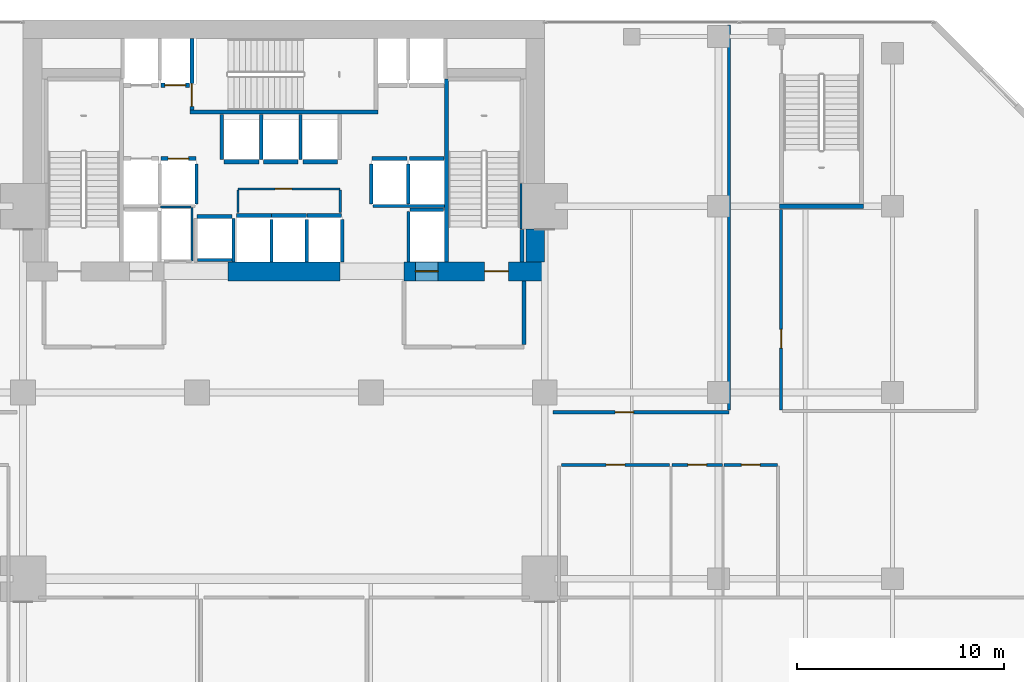
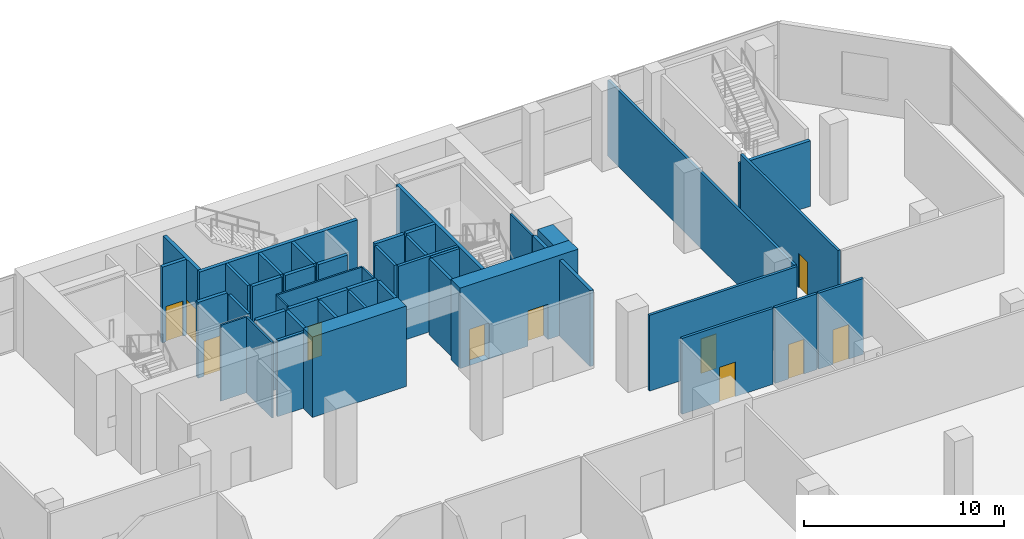
# One storey, part 36 of 39: 46 walls, 11 doors, 11 openings.
"""IFC4 building model written with IfcOpenShell, lengths in metres."""

from ifc_helpers import new_model, si_unit, direction, frame, frame_2d, origin, place, context, subcontext, project, spatial, rectangle, extrude, material, layer, layer_set, type_object, element, fill, save


model = new_model("IFC4")

# Units and contexts
model_context = context("Model", 3, precision=1e-05, world=origin(), true_north=direction((0.0, 1.0)))
body_context = subcontext(model_context, "Body", "Model", "MODEL_VIEW")
ifc_project = project(units=[si_unit("LENGTHUNIT", "METRE"), si_unit("AREAUNIT", "SQUARE_METRE"), si_unit("VOLUMEUNIT", "CUBIC_METRE"), si_unit("PLANEANGLEUNIT", "RADIAN"), si_unit("MASSUNIT", "GRAM", prefix="KILO")], contexts=[model_context])

# Site, building, storey
site_placement = place(None, origin())
site = spatial("IfcSite", under=ifc_project, at=site_placement, CompositionType="ELEMENT")
building_placement = place(site_placement, origin())
building = spatial("IfcBuilding", under=site, at=building_placement, Name="Maruvema Waterfront Hotel and Observation Tower", CompositionType="ELEMENT")
storey_placement = place(building_placement, frame((0.0, 0.0, 16.449951171875)))
storey = spatial("IfcBuildingStorey", under=building, at=storey_placement, Name="L03", CompositionType="ELEMENT", Elevation=16.449951171875)

# Wall, opening, door
ifc_material_1 = material(Name="Twin-stud acoustic gypsum drywall", Category="gypsum")
ifc_layer_1 = layer(ifc_material_1, 0.14990234375, Name="Acoustic Corridor and Suite Demising Wall 150 mm")
ifc_layer_set_1 = layer_set([ifc_layer_1], Name="Twin-stud acoustic gypsum drywall")
wall_type_1 = type_object("IfcWallType", Name="Acoustic Corridor and Suite Demising Wall 150 mm", PredefinedType="PARTITIONING", material=ifc_layer_set_1)
wall_1_placement = place(storey_placement, frame((51.199951171875, 32.5, 0.0), z_axis=(0.0, 0.0, 1.0), x_axis=(1.0, 0.0, 0.0)))
wall_1 = element("IfcWall", 1, at=wall_1_placement, inside=storey, type_object=wall_type_1, Name="L03 L03 Toilet Wall 027", PredefinedType="PARTITIONING", context=body_context, shape_type="SweptSolid", body=[
    extrude(rectangle(XDim=5.239990234375, YDim=0.14990234375, at=frame_2d((2.6201171875, 0.0))), origin(), (0.0, 0.0, 1.0), 4.6201171875),
])
opening_1_placement = place(wall_1_placement, frame((2.169921875, 0.0, 0.0)))
opening_1 = element("IfcOpeningElement", 2, at=opening_1_placement, cuts=wall_1, Name="Opening DR-090", PredefinedType="OPENING", context=body_context, shape_type="SweptSolid", body=[
    extrude(rectangle(XDim=0.89990234375, YDim=2.10009765625, at=frame_2d((0.449951171875, 1.050048828125))), frame((0.0, 0.0849609375, 0.0), z_axis=(0.0, -1.0, 0.0), x_axis=(1.0, 0.0, 0.0)), (0.0, 0.0, 1.0), 0.169921875),
])
ifc_material_2 = material(Name="Solid-core lacquered timber leaf", Category="wood")
door_type_1 = type_object("IfcDoorType", Name="Accessible Toilet and Room Door 900x2100 mm", OperationType="NOTDEFINED", PredefinedType="DOOR", material=ifc_material_2)
door_1_placement = place(opening_1_placement, origin())
door_1 = element("IfcDoor", 3, at=door_1_placement, inside=storey, type_object=door_type_1, Name="L03 Public Toilet Door", OperationType="SINGLE_SWING_LEFT", OverallHeight=2.10009765625, OverallWidth=0.89990234375, PredefinedType="DOOR", context=body_context, shape_type="SweptSolid", body=[
    extrude(rectangle(XDim=0.89990234375, YDim=2.10009765625, at=frame_2d((0.449951171875, 1.050048828125))), frame((0.0, 0.02490234375, 0.0), z_axis=(0.0, -1.0, 0.0), x_axis=(1.0, 0.0, 0.0)), (0.0, 0.0, 1.0), 0.050048828125),
])
fill(opening_1, door_1)

wall_2_placement = place(storey_placement, frame((56.56005859375, 32.5, 0.0), z_axis=(0.0, 0.0, 1.0), x_axis=(1.0, 0.0, 0.0)))
wall_2 = element("IfcWall", 4, at=wall_2_placement, inside=storey, type_object=wall_type_1, Name="L03 L03 Acc WC Wall 028", PredefinedType="PARTITIONING", context=body_context, shape_type="SweptSolid", body=[
    extrude(rectangle(XDim=2.419921875, YDim=0.14990234375, at=frame_2d((1.2099609375, 0.0))), origin(), (0.0, 0.0, 1.0), 4.6201171875),
])
opening_2_placement = place(wall_2_placement, frame((0.760009765625, 0.0, 0.0)))
opening_2 = element("IfcOpeningElement", 5, at=opening_2_placement, cuts=wall_2, Name="Opening DR-090", PredefinedType="OPENING", context=body_context, shape_type="SweptSolid", body=[
    extrude(rectangle(XDim=0.89990234375, YDim=2.10009765625, at=frame_2d((0.449951171875, 1.050048828125))), frame((0.0, 0.0849609375, 0.0), z_axis=(0.0, -1.0, 0.0), x_axis=(1.0, 0.0, 0.0)), (0.0, 0.0, 1.0), 0.169921875),
])
door_2_placement = place(opening_2_placement, origin())
door_2 = element("IfcDoor", 6, at=door_2_placement, inside=storey, type_object=door_type_1, Name="L03 Accessible WC Door", OperationType="SINGLE_SWING_RIGHT", OverallHeight=2.10009765625, OverallWidth=0.89990234375, PredefinedType="DOOR", context=body_context, shape_type="SweptSolid", body=[
    extrude(rectangle(XDim=0.89990234375, YDim=2.10009765625, at=frame_2d((0.449951171875, 1.050048828125))), frame((0.0, 0.02490234375, 0.0), z_axis=(0.0, -1.0, 0.0), x_axis=(1.0, 0.0, 0.0)), (0.0, 0.0, 1.0), 0.050048828125),
])
fill(opening_2, door_2)

wall_3_placement = place(storey_placement, frame((59.06005859375, 32.5, 0.0), z_axis=(0.0, 0.0, 1.0), x_axis=(1.0, 0.0, 0.0)))
wall_3 = element("IfcWall", 7, at=wall_3_placement, inside=storey, type_object=wall_type_1, Name="L03 L03 Linen Store Wall 029", PredefinedType="PARTITIONING", context=body_context, shape_type="SweptSolid", body=[
    extrude(rectangle(XDim=2.58984375, YDim=0.14990234375, at=frame_2d((1.294921875, 0.0))), origin(), (0.0, 0.0, 1.0), 4.6201171875),
])
opening_3_placement = place(wall_3_placement, frame((0.844970703125, 0.0, 0.0)))
opening_3 = element("IfcOpeningElement", 8, at=opening_3_placement, cuts=wall_3, Name="Opening DR-090", PredefinedType="OPENING", context=body_context, shape_type="SweptSolid", body=[
    extrude(rectangle(XDim=0.89990234375, YDim=2.10009765625, at=frame_2d((0.449951171875, 1.050048828125))), frame((0.0, 0.0849609375, 0.0), z_axis=(0.0, -1.0, 0.0), x_axis=(1.0, 0.0, 0.0)), (0.0, 0.0, 1.0), 0.169921875),
])
door_3_placement = place(opening_3_placement, origin())
door_3 = element("IfcDoor", 9, at=door_3_placement, inside=storey, type_object=door_type_1, Name="L03 Podium Linen Store Door", OperationType="SINGLE_SWING_LEFT", OverallHeight=2.10009765625, OverallWidth=0.89990234375, PredefinedType="DOOR", context=body_context, shape_type="SweptSolid", body=[
    extrude(rectangle(XDim=0.89990234375, YDim=2.10009765625, at=frame_2d((0.449951171875, 1.050048828125))), frame((0.0, 0.02490234375, 0.0), z_axis=(0.0, -1.0, 0.0), x_axis=(1.0, 0.0, 0.0)), (0.0, 0.0, 1.0), 0.050048828125),
])
fill(opening_3, door_3)

wall_4_placement = place(storey_placement, frame((50.800048828125, 35.050048828125, 0.0), z_axis=(0.0, 0.0, 1.0), x_axis=(1.0, 0.0, 0.0)))
wall_4 = element("IfcWall", 10, at=wall_4_placement, inside=storey, type_object=wall_type_1, Name="L03 L03 Lounge South Wall 036", PredefinedType="PARTITIONING", context=body_context, shape_type="SweptSolid", body=[
    extrude(rectangle(XDim=8.5, YDim=0.14990234375, at=frame_2d((4.25, 0.0))), origin(), (0.0, 0.0, 1.0), 4.6201171875),
])
opening_4_placement = place(wall_4_placement, frame((3.0, 0.0, 0.0)))
opening_4 = element("IfcOpeningElement", 11, at=opening_4_placement, cuts=wall_4, Name="Opening DR-090", PredefinedType="OPENING", context=body_context, shape_type="SweptSolid", body=[
    extrude(rectangle(XDim=0.89990234375, YDim=2.10009765625, at=frame_2d((0.449951171875, 1.050048828125))), frame((0.0, 0.0849609375, 0.0), z_axis=(0.0, -1.0, 0.0), x_axis=(1.0, 0.0, 0.0)), (0.0, 0.0, 1.0), 0.169921875),
])
door_4_placement = place(opening_4_placement, frame((0.89990234375, 0.0, 0.0), z_axis=(0.0, 0.0, 1.0), x_axis=(-1.0, 0.0, 0.0)))
door_4 = element("IfcDoor", 12, at=door_4_placement, inside=storey, type_object=door_type_1, Name="L03 Business Lounge Door", OperationType="SINGLE_SWING_RIGHT", OverallHeight=2.10009765625, OverallWidth=0.89990234375, PredefinedType="DOOR", context=body_context, shape_type="SweptSolid", body=[
    extrude(rectangle(XDim=0.89990234375, YDim=2.10009765625, at=frame_2d((0.449951171875, 1.050048828125))), frame((0.0, 0.02490234375, 0.0), z_axis=(0.0, -1.0, 0.0), x_axis=(1.0, 0.0, 0.0)), (0.0, 0.0, 1.0), 0.050048828125),
])
fill(opening_4, door_4)

# Wall
wall_5_placement = place(storey_placement, frame((59.300048828125, 35.14990234375, 0.0), z_axis=(0.0, 0.0, 1.0), x_axis=(0.0, 1.0, 0.0)))
element("IfcWall", 13, at=wall_5_placement, inside=storey, type_object=wall_type_1, Name="L03 L03 Lounge East Wall 037", PredefinedType="PARTITIONING", context=body_context, shape_type="SweptSolid", body=[
    extrude(rectangle(XDim=18.60009765625, YDim=0.14990234375, at=frame_2d((9.300048828125, 0.0))), origin(), (0.0, 0.0, 1.0), 4.6201171875),
])

# Wall, opening, door
wall_6_placement = place(storey_placement, frame((61.820068359375, 35.14990234375, 0.0), z_axis=(0.0, 0.0, 1.0), x_axis=(0.0, 1.0, 0.0)))
wall_6 = element("IfcWall", 14, at=wall_6_placement, inside=storey, type_object=wall_type_1, Name="L03 L03 AV Store Wall 038", PredefinedType="PARTITIONING", context=body_context, shape_type="SweptSolid", body=[
    extrude(rectangle(XDim=9.7001953125, YDim=0.14990234375, at=frame_2d((4.85009765625, 0.0))), origin(), (0.0, 0.0, 1.0), 4.6201171875),
])
opening_5_placement = place(wall_6_placement, frame((3.0, 0.0, 0.0)))
opening_5 = element("IfcOpeningElement", 15, at=opening_5_placement, cuts=wall_6, Name="Opening DR-090", PredefinedType="OPENING", context=body_context, shape_type="SweptSolid", body=[
    extrude(rectangle(XDim=0.89990234375, YDim=2.10009765625, at=frame_2d((0.449951171875, 1.050048828125))), frame((0.0, 0.0849609375, 0.0), z_axis=(0.0, -1.0, 0.0), x_axis=(1.0, 0.0, 0.0)), (0.0, 0.0, 1.0), 0.169921875),
])
door_5_placement = place(opening_5_placement, frame((0.89990234375, 0.0, 0.0), z_axis=(0.0, 0.0, 1.0), x_axis=(-1.0, 0.0, 0.0)))
door_5 = element("IfcDoor", 16, at=door_5_placement, inside=storey, type_object=door_type_1, Name="L03 AV Store Door", OperationType="SINGLE_SWING_LEFT", OverallHeight=2.10009765625, OverallWidth=0.89990234375, PredefinedType="DOOR", context=body_context, shape_type="SweptSolid", body=[
    extrude(rectangle(XDim=0.89990234375, YDim=2.10009765625, at=frame_2d((0.449951171875, 1.050048828125))), frame((0.0, 0.02490234375, 0.0), z_axis=(0.0, -1.0, 0.0), x_axis=(1.0, 0.0, 0.0)), (0.0, 0.0, 1.0), 0.050048828125),
])
fill(opening_5, door_5)

# Wall
ifc_material_3 = material(Name="Precast concrete C45/55", Category="concrete")
ifc_layer_2 = layer(ifc_material_3, 0.199951171875, Name="Core Shaft and Stairwell Enclosure Wall 200 mm")
ifc_layer_set_2 = layer_set([ifc_layer_2], Name="Precast concrete C45/55")
wall_type_2 = type_object("IfcWallType", Name="Core Shaft and Stairwell Enclosure Wall 200 mm", PredefinedType="SOLIDWALL", material=ifc_layer_set_2)
wall_7_placement = place(storey_placement, frame((33.25, 49.550048828125, 0.0), z_axis=(0.0, 0.0, 1.0), x_axis=(1.0, 0.0, 0.0)))
element("IfcWall", 17, at=wall_7_placement, inside=storey, type_object=wall_type_2, Name="L03 Stairwell ST-02 Shaft Wall", PredefinedType="SOLIDWALL", context=body_context, shape_type="SweptSolid", body=[
    extrude(rectangle(XDim=9.10009765625, YDim=0.199951171875, at=frame_2d((4.550048828125, 0.0))), origin(), (0.0, 0.0, 1.0), 4.6201171875),
])

# Wall, opening, door
wall_8_placement = place(storey_placement, frame((33.35009765625, 49.64990234375, 0.0), z_axis=(0.0, 0.0, 1.0), x_axis=(0.0, 1.0, 0.0)))
wall_8 = element("IfcWall", 18, at=wall_8_placement, inside=storey, type_object=wall_type_2, Name="L03 Stairwell ST-02 Shaft Wall", PredefinedType="SOLIDWALL", context=body_context, shape_type="SweptSolid", body=[
    extrude(rectangle(XDim=3.4501953125, YDim=0.199951171875, at=frame_2d((1.72509765625, 0.0))), origin(), (0.0, 0.0, 1.0), 4.6201171875),
])
opening_6_placement = place(wall_8_placement, frame((0.179931640625, 0.0, 0.0)))
opening_6 = element("IfcOpeningElement", 19, at=opening_6_placement, cuts=wall_8, Name="Opening SD-02", PredefinedType="OPENING", context=body_context, shape_type="SweptSolid", body=[
    extrude(rectangle(XDim=1.10009765625, YDim=2.14990234375, at=frame_2d((0.550048828125, 1.074951171875))), frame((0.0, 0.10986328125, 0.0), z_axis=(0.0, -1.0, 0.0), x_axis=(1.0, 0.0, 0.0)), (0.0, 0.0, 1.0), 0.219970703125),
])
ifc_material_4 = material(Name="Fire-rated galvanised steel leaf", Category="steel")
door_type_2 = type_object("IfcDoorType", Name="Central Exit Stair Fire Door 1100x2150 mm", OperationType="NOTDEFINED", PredefinedType="DOOR", material=ifc_material_4)
door_6_placement = place(opening_6_placement, frame((1.10009765625, 0.0, 0.0), z_axis=(0.0, 0.0, 1.0), x_axis=(-1.0, 0.0, 0.0)))
door_6 = element("IfcDoor", 20, at=door_6_placement, inside=storey, type_object=door_type_2, Name="L03 Exit Stair ST-02 Fire Door", OperationType="SINGLE_SWING_LEFT", OverallHeight=2.14990234375, OverallWidth=1.10009765625, PredefinedType="DOOR", context=body_context, shape_type="SweptSolid", body=[
    extrude(rectangle(XDim=1.10009765625, YDim=2.14990234375, at=frame_2d((0.550048828125, 1.074951171875))), frame((0.0, 0.02490234375, 0.0), z_axis=(0.0, -1.0, 0.0), x_axis=(1.0, 0.0, 0.0)), (0.0, 0.0, 1.0), 0.050048828125),
])
fill(opening_6, door_6)

# Walls
wall_9_placement = place(storey_placement, frame((45.64990234375, 42.300048828125, 0.0), z_axis=(0.0, 0.0, 1.0), x_axis=(0.0, 1.0, 0.0)))
element("IfcWall", 21, at=wall_9_placement, inside=storey, type_object=wall_type_2, Name="L03 Stairwell ST-03 West Shaft Wall", PredefinedType="SOLIDWALL", context=body_context, shape_type="SweptSolid", body=[
    extrude(rectangle(XDim=8.849853515625, YDim=0.199951171875, at=frame_2d((4.4248046875, 0.0))), origin(), (0.0, 0.0, 1.0), 4.6201171875),
])
wall_10_placement = place(storey_placement, frame((49.300048828125, 42.300048828125, 0.0), z_axis=(0.0, 0.0, 1.0), x_axis=(0.0, 1.0, 0.0)))
element("IfcWall", 22, at=wall_10_placement, inside=storey, type_object=wall_type_2, Name="L03 Stairwell ST-03 Shaft Lining Wall", PredefinedType="SOLIDWALL", context=body_context, shape_type="SweptSolid", body=[
    extrude(rectangle(XDim=1.579833984375, YDim=0.199951171875, at=frame_2d((0.7900390625, 0.0))), origin(), (0.0, 0.0, 1.0), 4.6201171875),
])
wall_11_placement = place(storey_placement, frame((61.75, 45.0, 0.0), z_axis=(0.0, 0.0, 1.0), x_axis=(1.0, 0.0, 0.0)))
element("IfcWall", 23, at=wall_11_placement, inside=storey, type_object=wall_type_2, Name="L03 Stairwell ST-05 Shaft Wall", PredefinedType="SOLIDWALL", context=body_context, shape_type="SweptSolid", body=[
    extrude(rectangle(XDim=4.050048828125, YDim=0.199951171875, at=frame_2d((2.02490234375, 0.0))), origin(), (0.0, 0.0, 1.0), 3.985107421875),
])

# Wall, opening, door
wall_12_placement = place(storey_placement, frame((31.860107421875, 47.300048828125, 0.0), z_axis=(0.0, 0.0, 1.0), x_axis=(1.0, 0.0, 0.0)))
wall_12 = element("IfcWall", 24, at=wall_12_placement, inside=storey, type_object=wall_type_2, Name="L03 Lift LF-02 Hoistway Front Wall", PredefinedType="SOLIDWALL", context=body_context, shape_type="SweptSolid", body=[
    extrude(rectangle(XDim=1.679931640625, YDim=0.199951171875, at=frame_2d((0.83984375, 0.0))), origin(), (0.0, 0.0, 1.0), 4.6201171875),
])
opening_7_placement = place(wall_12_placement, frame((0.340087890625, 0.0, 0.0)))
opening_7 = element("IfcOpeningElement", 25, at=opening_7_placement, cuts=wall_12, Name="Opening LD-01", PredefinedType="OPENING", context=body_context, shape_type="SweptSolid", body=[
    extrude(rectangle(XDim=1.0, YDim=2.14990234375, at=frame_2d((0.5, 1.074951171875))), frame((0.0, 0.10986328125, 0.0), z_axis=(0.0, -1.0, 0.0), x_axis=(1.0, 0.0, 0.0)), (0.0, 0.0, 1.0), 0.219970703125),
])
ifc_material_5 = material(Name="Brushed stainless steel Grade 316", Category="steel")
door_type_3 = type_object("IfcDoorType", Name="Passenger Lift Sliding Landing Door 1000x2150 mm", OperationType="SLIDING_TO_LEFT", PredefinedType="DOOR", material=ifc_material_5)
door_7_placement = place(opening_7_placement, origin())
door_7 = element("IfcDoor", 26, at=door_7_placement, inside=storey, type_object=door_type_3, Name="L03 Lift LF-02 Sliding Landing Door", OperationType="SLIDING_TO_LEFT", OverallHeight=2.14990234375, OverallWidth=1.0, PredefinedType="DOOR", context=body_context, shape_type="SweptSolid", body=[
    extrude(rectangle(XDim=1.0, YDim=2.14990234375, at=frame_2d((0.5, 1.074951171875))), frame((0.0, 0.02490234375, 0.0), z_axis=(0.0, -1.0, 0.0), x_axis=(1.0, 0.0, 0.0)), (0.0, 0.0, 1.0), 0.050048828125),
])
fill(opening_7, door_7)

wall_13_placement = place(storey_placement, frame((31.860107421875, 50.85009765625, 0.0), z_axis=(0.0, 0.0, 1.0), x_axis=(1.0, 0.0, 0.0)))
wall_13 = element("IfcWall", 27, at=wall_13_placement, inside=storey, type_object=wall_type_2, Name="L03 Lift LF-04 Hoistway Front Wall", PredefinedType="SOLIDWALL", context=body_context, shape_type="SweptSolid", body=[
    extrude(rectangle(XDim=1.3798828125, YDim=0.199951171875, at=frame_2d((0.68994140625, 0.0))), origin(), (0.0, 0.0, 1.0), 4.6201171875),
])
opening_8_placement = place(wall_13_placement, frame((0.18994140625, 0.0, 0.0)))
opening_8 = element("IfcOpeningElement", 28, at=opening_8_placement, cuts=wall_13, Name="Opening LD-01", PredefinedType="OPENING", context=body_context, shape_type="SweptSolid", body=[
    extrude(rectangle(XDim=1.0, YDim=2.14990234375, at=frame_2d((0.5, 1.074951171875))), frame((0.0, 0.10986328125, 0.0), z_axis=(0.0, -1.0, 0.0), x_axis=(1.0, 0.0, 0.0)), (0.0, 0.0, 1.0), 0.219970703125),
])
door_8_placement = place(opening_8_placement, frame((1.0, 0.0, 0.0), z_axis=(0.0, 0.0, 1.0), x_axis=(-1.0, 0.0, 0.0)))
door_8 = element("IfcDoor", 29, at=door_8_placement, inside=storey, type_object=door_type_3, Name="L03 Lift LF-04 Sliding Landing Door", OperationType="SLIDING_TO_LEFT", OverallHeight=2.14990234375, OverallWidth=1.0, PredefinedType="DOOR", context=body_context, shape_type="SweptSolid", body=[
    extrude(rectangle(XDim=1.0, YDim=2.14990234375, at=frame_2d((0.5, 1.074951171875))), frame((0.0, 0.02490234375, 0.0), z_axis=(0.0, -1.0, 0.0), x_axis=(1.0, 0.0, 0.0)), (0.0, 0.0, 1.0), 0.050048828125),
])
fill(opening_8, door_8)

# Walls
for number, where, z_axis, x_axis, name in (
    (30, (42.06005859375, 47.300048828125, 0.0), (0.0, 0.0, 1.0), (1.0, 0.0, 0.0), "L03 Lift LF-05 Hoistway Front Wall"),
    (31, (43.860107421875, 47.300048828125, 0.0), (0.0, 0.0, 1.0), (1.0, 0.0, 0.0), "L03 Lift LF-06 Hoistway Front Wall"),
    (32, (35.510009765625, 44.550048828125, 0.0), (0.0, 0.0, 1.0), (1.0, 0.0, 0.0), "L03 Lift LF-09 Hoistway Front Wall"),
    (33, (37.2099609375, 44.550048828125, 0.0), (0.0, 0.0, 1.0), (1.0, 0.0, 0.0), "L03 Lift LF-10 Hoistway Front Wall"),
):
    element("IfcWall", number, at=place(storey_placement, frame(where, z_axis=z_axis, x_axis=x_axis)), inside=storey, type_object=wall_type_2, Name=name, PredefinedType="SOLIDWALL", context=body_context, shape_type="SweptSolid", body=[
        extrude(rectangle(XDim=1.679931640625, YDim=0.199951171875, at=frame_2d((0.83984375, 0.0))), origin(), (0.0, 0.0, 1.0), 4.6201171875),
    ])
for number, where, z_axis, x_axis, name in (
    (34, (38.909912109375, 44.550048828125, 0.0), (0.0, 0.0, 1.0), (1.0, 0.0, 0.0), "L03 Lift LF-11 Hoistway Front Wall"),
    (35, (34.909912109375, 47.14990234375, 0.0), (0.0, 0.0, 1.0), (1.0, 0.0, 0.0), "L03 Lift LF-12 Hoistway Front Wall"),
):
    element("IfcWall", number, at=place(storey_placement, frame(where, z_axis=z_axis, x_axis=x_axis)), inside=storey, type_object=wall_type_2, Name=name, PredefinedType="SOLIDWALL", context=body_context, shape_type="SweptSolid", body=[
        extrude(rectangle(XDim=1.68017578125, YDim=0.199951171875, at=frame_2d((0.840087890625, 0.0))), origin(), (0.0, 0.0, 1.0), 4.6201171875),
    ])
for number, where, z_axis, x_axis, name in (
    (36, (36.81005859375, 47.14990234375, 0.0), (0.0, 0.0, 1.0), (1.0, 0.0, 0.0), "L03 Lift LF-13 Hoistway Front Wall"),
    (37, (38.7099609375, 47.14990234375, 0.0), (0.0, 0.0, 1.0), (1.0, 0.0, 0.0), "L03 Lift LF-14 Hoistway Front Wall"),
    (38, (33.610107421875, 44.5, 0.0), (0.0, 0.0, 1.0), (1.0, 0.0, 0.0), "L03 Lift LF-15 Hoistway Front Wall"),
):
    element("IfcWall", number, at=place(storey_placement, frame(where, z_axis=z_axis, x_axis=x_axis)), inside=storey, type_object=wall_type_2, Name=name, PredefinedType="SOLIDWALL", context=body_context, shape_type="SweptSolid", body=[
        extrude(rectangle(XDim=1.679931640625, YDim=0.199951171875, at=frame_2d((0.83984375, 0.0))), origin(), (0.0, 0.0, 1.0), 4.6201171875),
    ])
ifc_material_6 = material(Name="Concrete C80/95", Category="concrete")
ifc_layer_3 = layer(ifc_material_6, 0.89990234375, Name="Core Shear Wall 900 mm")
ifc_layer_set_3 = layer_set([ifc_layer_3], Name="Concrete C80/95")
wall_type_3 = type_object("IfcWallType", Name="Core Shear Wall 900 mm", PredefinedType="SHEAR", material=ifc_layer_set_3)
wall_14_placement = place(storey_placement, frame((35.10009765625, 41.85009765625, 0.0), z_axis=(0.0, 0.0, 1.0), x_axis=(1.0, 0.0, 0.0)))
element("IfcWall", 39, at=wall_14_placement, inside=storey, type_object=wall_type_3, Name="L03 South-Central Core Shear Wall", PredefinedType="SHEAR", context=body_context, shape_type="SweptSolid", body=[
    extrude(rectangle(XDim=5.39990234375, YDim=0.89990234375, at=frame_2d((2.699951171875, 0.0))), origin(), (0.0, 0.0, 1.0), 4.900146484375),
])

# Wall, openings, doors
wall_15_placement = place(storey_placement, frame((43.60009765625, 41.85009765625, 0.0), z_axis=(0.0, 0.0, 1.0), x_axis=(1.0, 0.0, 0.0)))
wall_15 = element("IfcWall", 40, at=wall_15_placement, inside=storey, type_object=wall_type_3, Name="L03 South-East Core Shear Wall", PredefinedType="SHEAR", context=body_context, shape_type="SweptSolid", body=[
    extrude(rectangle(XDim=6.7998046875, YDim=0.89990234375, at=frame_2d((3.39990234375, 0.0))), origin(), (0.0, 0.0, 1.0), 4.900146484375),
])
opening_9_placement = place(wall_15_placement, frame((3.89990234375, 0.0, 0.0)))
opening_9 = element("IfcOpeningElement", 41, at=opening_9_placement, cuts=wall_15, Name="Opening SD-01", PredefinedType="OPENING", context=body_context, shape_type="SweptSolid", body=[
    extrude(rectangle(XDim=1.14990234375, YDim=2.14990234375, at=frame_2d((0.574951171875, 1.074951171875))), frame((0.0, 0.4599609375, 0.0), z_axis=(0.0, -1.0, 0.0), x_axis=(1.0, 0.0, 0.0)), (0.0, 0.0, 1.0), 0.919921875),
])
opening_10_placement = place(wall_15_placement, frame((0.550048828125, 0.0, 0.0)))
opening_10 = element("IfcOpeningElement", 42, at=opening_10_placement, cuts=wall_15, Name="Opening LD-03", PredefinedType="OPENING", context=body_context, shape_type="SweptSolid", body=[
    extrude(rectangle(XDim=1.10009765625, YDim=2.199951171875, at=frame_2d((0.550048828125, 1.10009765625))), frame((0.0, 0.4599609375, 0.0), z_axis=(0.0, -1.0, 0.0), x_axis=(1.0, 0.0, 0.0)), (0.0, 0.0, 1.0), 0.919921875),
])
ifc_material_7 = material(Name="Fire-rated galvanised steel leaf", Category="steel")
door_type_4 = type_object("IfcDoorType", Name="Exit Stair Fire Door 1150x2150 mm", OperationType="NOTDEFINED", PredefinedType="DOOR", material=ifc_material_7)
door_9_placement = place(opening_9_placement, origin())
door_9 = element("IfcDoor", 43, at=door_9_placement, inside=storey, type_object=door_type_4, Name="L03 Exit Stair ST-03 Fire Door", OperationType="SINGLE_SWING_RIGHT", OverallHeight=2.14990234375, OverallWidth=1.14990234375, PredefinedType="DOOR", context=body_context, shape_type="SweptSolid", body=[
    extrude(rectangle(XDim=1.14990234375, YDim=2.14990234375, at=frame_2d((0.574951171875, 1.074951171875))), frame((0.0, 0.02490234375, 0.0), z_axis=(0.0, -1.0, 0.0), x_axis=(1.0, 0.0, 0.0)), (0.0, 0.0, 1.0), 0.050048828125),
])
fill(opening_9, door_9)
ifc_material_8 = material(Name="Brushed stainless steel Grade 316", Category="steel")
door_type_5 = type_object("IfcDoorType", Name="Firefighting Lift Sliding Landing Door 1100x2200 mm", OperationType="SLIDING_TO_LEFT", PredefinedType="DOOR", material=ifc_material_8)
door_10_placement = place(opening_10_placement, frame((1.10009765625, 0.0, 0.0), z_axis=(0.0, 0.0, 1.0), x_axis=(-1.0, 0.0, 0.0)))
door_10 = element("IfcDoor", 44, at=door_10_placement, inside=storey, type_object=door_type_5, Name="L03 Firefighting Lift FL-02 Landing Door", OperationType="SLIDING_TO_LEFT", OverallHeight=2.199951171875, OverallWidth=1.10009765625, PredefinedType="DOOR", context=body_context, shape_type="SweptSolid", body=[
    extrude(rectangle(XDim=1.10009765625, YDim=2.199951171875, at=frame_2d((0.550048828125, 1.10009765625))), frame((0.0, 0.02490234375, 0.0), z_axis=(0.0, -1.0, 0.0), x_axis=(1.0, 0.0, 0.0)), (0.0, 0.0, 1.0), 0.050048828125),
])
fill(opening_10, door_10)

# Walls
wall_16_placement = place(storey_placement, frame((49.949951171875, 42.300048828125, 0.0), z_axis=(0.0, 0.0, 1.0), x_axis=(0.0, 1.0, 0.0)))
element("IfcWall", 45, at=wall_16_placement, inside=storey, type_object=wall_type_3, Name="L03 East-South Core Shear Wall", PredefinedType="SHEAR", context=body_context, shape_type="SweptSolid", body=[
    extrude(rectangle(XDim=1.599853515625, YDim=0.89990234375, at=frame_2d((0.7998046875, 0.0))), origin(), (0.0, 0.0, 1.0), 4.900146484375),
])
ifc_material_9 = material(Name="Moisture-resistant cement-board drywall", Category="gypsum")
ifc_layer_4 = layer(ifc_material_9, 0.10009765625, Name="En-Suite Moisture-Resistant Partition 100 mm")
ifc_layer_set_4 = layer_set([ifc_layer_4], Name="Moisture-resistant cement-board drywall")
wall_type_4 = type_object("IfcWallType", Name="En-Suite Moisture-Resistant Partition 100 mm", PredefinedType="PARTITIONING", material=ifc_layer_set_4)
wall_17_placement = place(storey_placement, frame((31.840087890625, 44.9599609375, 0.0), z_axis=(0.0, 0.0, 1.0), x_axis=(1.0, 0.0, 0.0)))
element("IfcWall", 46, at=wall_17_placement, inside=storey, type_object=wall_type_4, Name="L03 Telecom Riser North Wall 008", PredefinedType="PARTITIONING", context=body_context, shape_type="SweptSolid", body=[
    extrude(rectangle(XDim=1.47998046875, YDim=0.10009765625, at=frame_2d((0.739990234375, 0.0))), origin(), (0.0, 0.0, 1.0), 4.6201171875),
])
wall_18_placement = place(storey_placement, frame((33.360107421875, 42.360107421875, 0.0), z_axis=(0.0, 0.0, 1.0), x_axis=(0.0, 1.0, 0.0)))
element("IfcWall", 47, at=wall_18_placement, inside=storey, type_object=wall_type_4, Name="L03 Telecom Riser East Wall 009", PredefinedType="PARTITIONING", context=body_context, shape_type="SweptSolid", body=[
    extrude(rectangle(XDim=2.579833984375, YDim=0.10009765625, at=frame_2d((1.2900390625, 0.0))), origin(), (0.0, 0.0, 1.0), 4.6201171875),
])

# Wall, opening, door
wall_19_placement = place(storey_placement, frame((35.580078125, 45.840087890625, 0.0), z_axis=(0.0, 0.0, 1.0), x_axis=(1.0, 0.0, 0.0)))
wall_19 = element("IfcWall", 48, at=wall_19_placement, inside=storey, type_object=wall_type_4, Name="L03 Core Closet K0 North 010", PredefinedType="PARTITIONING", context=body_context, shape_type="SweptSolid", body=[
    extrude(rectangle(XDim=4.93994140625, YDim=0.10009765625, at=frame_2d((2.469970703125, 0.0))), origin(), (0.0, 0.0, 1.0), 4.6201171875),
])
opening_11_placement = place(wall_19_placement, frame((1.800048828125, 0.0, 0.0)))
opening_11 = element("IfcOpeningElement", 49, at=opening_11_placement, cuts=wall_19, Name="Opening DR-080", PredefinedType="OPENING", context=body_context, shape_type="SweptSolid", body=[
    extrude(rectangle(XDim=0.800048828125, YDim=2.050048828125, at=frame_2d((0.39990234375, 1.02490234375))), frame((0.0, 0.06005859375, 0.0), z_axis=(0.0, -1.0, 0.0), x_axis=(1.0, 0.0, 0.0)), (0.0, 0.0, 1.0), 0.1201171875),
])
ifc_material_10 = material(Name="Powder-coated steel access leaf", Category="steel")
door_type_6 = type_object("IfcDoorType", Name="Riser and Service Cupboard Door 800x2050 mm", OperationType="NOTDEFINED", PredefinedType="DOOR", material=ifc_material_10)
door_11_placement = place(opening_11_placement, origin())
door_11 = element("IfcDoor", 50, at=door_11_placement, inside=storey, type_object=door_type_6, Name="L03 Core Electrical Closet Door", OperationType="SINGLE_SWING_LEFT", OverallHeight=2.050048828125, OverallWidth=0.800048828125, PredefinedType="DOOR", context=body_context, shape_type="SweptSolid", body=[
    extrude(rectangle(XDim=0.800048828125, YDim=2.050048828125, at=frame_2d((0.39990234375, 1.02490234375))), frame((0.0, 0.02490234375, 0.0), z_axis=(0.0, -1.0, 0.0), x_axis=(1.0, 0.0, 0.0)), (0.0, 0.0, 1.0), 0.050048828125),
])
fill(opening_11, door_11)

# Walls
for number, where, z_axis, x_axis, name in (
    (51, (35.580078125, 44.699951171875, 0.0), (0.0, 0.0, 1.0), (0.0, 1.0, 0.0), "L03 Core Closet K0 West 011"),
    (52, (40.52001953125, 44.699951171875, 0.0), (0.0, 0.0, 1.0), (0.0, 1.0, 0.0), "L03 Core Closet K0 East 012"),
):
    element("IfcWall", number, at=place(storey_placement, frame(where, z_axis=z_axis, x_axis=x_axis)), inside=storey, type_object=wall_type_4, Name=name, PredefinedType="PARTITIONING", context=body_context, shape_type="SweptSolid", body=[
        extrude(rectangle(XDim=1.080078125, YDim=0.10009765625, at=frame_2d((0.5400390625, 0.0))), origin(), (0.0, 0.0, 1.0), 4.6201171875),
    ])
ifc_material_11 = material(Name="Autoclaved cellular concrete blockwork", Category="masonry")
ifc_layer_5 = layer(ifc_material_11, 0.199951171875, Name="Fire Compartment Masonry Wall 200 mm")
ifc_layer_set_5 = layer_set([ifc_layer_5], Name="Autoclaved cellular concrete blockwork")
wall_type_5 = type_object("IfcWallType", Name="Fire Compartment Masonry Wall 200 mm", PredefinedType="PARTITIONING", material=ifc_layer_set_5)
wall_20_placement = place(storey_placement, frame((49.39990234375, 38.31005859375, 0.0), z_axis=(0.0, 0.0, 1.0), x_axis=(0.0, 1.0, 0.0)))
element("IfcWall", 53, at=wall_20_placement, inside=storey, type_object=wall_type_5, Name="L03 FFL East East Wall 006", PredefinedType="PARTITIONING", context=body_context, shape_type="SweptSolid", body=[
    extrude(rectangle(XDim=3.06982421875, YDim=0.199951171875, at=frame_2d((1.534912109375, 0.0))), origin(), (0.0, 0.0, 1.0), 4.6201171875),
])
ifc_material_12 = material(Name="Precast concrete C45/55", Category="concrete")
ifc_layer_6 = layer(ifc_material_12, 0.159912109375, Name="Lift Hoistway Divider Wall 160 mm")
ifc_layer_set_6 = layer_set([ifc_layer_6], Name="Precast concrete C45/55")
wall_type_6 = type_object("IfcWallType", Name="Lift Hoistway Divider Wall 160 mm", PredefinedType="SOLIDWALL", material=ifc_layer_set_6)
wall_21_placement = place(storey_placement, frame((43.89990234375, 44.830078125, 0.0), z_axis=(0.0, 0.0, 1.0), x_axis=(1.0, 0.0, 0.0)))
element("IfcWall", 54, at=wall_21_placement, inside=storey, type_object=wall_type_6, Name="L03 Lift FL-02 Rear Hoistway Wall", PredefinedType="SOLIDWALL", context=body_context, shape_type="SweptSolid", body=[
    extrude(rectangle(XDim=1.60009765625, YDim=0.159912109375, at=frame_2d((0.800048828125, 0.0))), origin(), (0.0, 0.0, 1.0), 4.6201171875),
])
wall_22_placement = place(storey_placement, frame((43.820068359375, 42.300048828125, 0.0), z_axis=(0.0, 0.0, 1.0), x_axis=(0.0, 1.0, 0.0)))
element("IfcWall", 55, at=wall_22_placement, inside=storey, type_object=wall_type_6, Name="L03 Lift FL-02 Inner Hoistway Wall", PredefinedType="SOLIDWALL", context=body_context, shape_type="SweptSolid", body=[
    extrude(rectangle(XDim=2.43994140625, YDim=0.159912109375, at=frame_2d((1.219970703125, 0.0))), origin(), (0.0, 0.0, 1.0), 4.6201171875),
])
for number, where, z_axis, x_axis, name in (
    (56, (33.580078125, 45.10009765625, 0.0), (0.0, 0.0, 1.0), (0.0, 1.0, 0.0), "L03 Hoistway Divider Wall"),
    (57, (42.02001953125, 45.10009765625, 0.0), (0.0, 0.0, 1.0), (0.0, 1.0, 0.0), "L03 Hoistway Divider Wall"),
    (58, (43.800048828125, 45.10009765625, 0.0), (0.0, 0.0, 1.0), (0.0, 1.0, 0.0), "L03 Hoistway Divider Wall"),
):
    element("IfcWall", number, at=place(storey_placement, frame(where, z_axis=z_axis, x_axis=x_axis)), inside=storey, type_object=wall_type_6, Name=name, PredefinedType="SOLIDWALL", context=body_context, shape_type="SweptSolid", body=[
        extrude(rectangle(XDim=1.949951171875, YDim=0.159912109375, at=frame_2d((0.97509765625, 0.0))), origin(), (0.0, 0.0, 1.0), 4.6201171875),
    ])
wall_23_placement = place(storey_placement, frame((42.10009765625, 45.010009765625, 0.0), z_axis=(0.0, 0.0, 1.0), x_axis=(1.0, 0.0, 0.0)))
element("IfcWall", 59, at=wall_23_placement, inside=storey, type_object=wall_type_6, Name="L03 Hoistway Divider Wall", PredefinedType="SOLIDWALL", context=body_context, shape_type="SweptSolid", body=[
    extrude(rectangle(XDim=3.449951171875, YDim=0.159912109375, at=frame_2d((1.72509765625, 0.0))), origin(), (0.0, 0.0, 1.0), 4.6201171875),
])
for number, where, z_axis, x_axis, name in (
    (60, (37.199951171875, 42.300048828125, 0.0), (0.0, 0.0, 1.0), (0.0, 1.0, 0.0), "L03 Hoistway Divider Wall"),
    (61, (38.89990234375, 42.300048828125, 0.0), (0.0, 0.0, 1.0), (0.0, 1.0, 0.0), "L03 Hoistway Divider Wall"),
    (62, (40.6201171875, 42.300048828125, 0.0), (0.0, 0.0, 1.0), (0.0, 1.0, 0.0), "L03 Hoistway Divider Wall"),
):
    element("IfcWall", number, at=place(storey_placement, frame(where, z_axis=z_axis, x_axis=x_axis)), inside=storey, type_object=wall_type_6, Name=name, PredefinedType="SOLIDWALL", context=body_context, shape_type="SweptSolid", body=[
        extrude(rectangle(XDim=2.050048828125, YDim=0.159912109375, at=frame_2d((1.02490234375, 0.0))), origin(), (0.0, 0.0, 1.0), 4.6201171875),
    ])
for number, where, z_axis, x_axis, name in (
    (63, (34.800048828125, 47.25, 0.0), (0.0, 0.0, 1.0), (0.0, 1.0, 0.0), "L03 Hoistway Divider Wall"),
    (64, (36.699951171875, 47.25, 0.0), (0.0, 0.0, 1.0), (0.0, 1.0, 0.0), "L03 Hoistway Divider Wall"),
    (65, (38.60009765625, 47.25, 0.0), (0.0, 0.0, 1.0), (0.0, 1.0, 0.0), "L03 Hoistway Divider Wall"),
):
    element("IfcWall", number, at=place(storey_placement, frame(where, z_axis=z_axis, x_axis=x_axis)), inside=storey, type_object=wall_type_6, Name=name, PredefinedType="SOLIDWALL", context=body_context, shape_type="SweptSolid", body=[
        extrude(rectangle(XDim=2.18994140625, YDim=0.159912109375, at=frame_2d((1.094970703125, 0.0))), origin(), (0.0, 0.0, 1.0), 4.6201171875),
    ])
wall_24_placement = place(storey_placement, frame((35.360107421875, 42.300048828125, 0.0), z_axis=(0.0, 0.0, 1.0), x_axis=(0.0, 1.0, 0.0)))
element("IfcWall", 66, at=wall_24_placement, inside=storey, type_object=wall_type_6, Name="L03 Hoistway Divider Wall", PredefinedType="SOLIDWALL", context=body_context, shape_type="SweptSolid", body=[
    extrude(rectangle(XDim=2.099853515625, YDim=0.159912109375, at=frame_2d((1.0498046875, 0.0))), origin(), (0.0, 0.0, 1.0), 4.6201171875),
])
wall_25_placement = place(storey_placement, frame((33.6201171875, 42.39990234375, 0.0), z_axis=(0.0, 0.0, 1.0), x_axis=(1.0, 0.0, 0.0)))
element("IfcWall", 67, at=wall_25_placement, inside=storey, type_object=wall_type_6, Name="L03 Hoistway Divider Wall", PredefinedType="SOLIDWALL", context=body_context, shape_type="SweptSolid", body=[
    extrude(rectangle(XDim=1.659912109375, YDim=0.159912109375, at=frame_2d((0.830078125, 0.0))), origin(), (0.0, 0.0, 1.0), 4.6201171875),
])
ifc_material_13 = material(Name="Precast concrete C45/55", Category="concrete")
ifc_layer_7 = layer(ifc_material_13, 0.10009765625, Name="Stairwell Stringer Cheek Wall 100 mm")
ifc_layer_set_7 = layer_set([ifc_layer_7], Name="Precast concrete C45/55")
wall_type_7 = type_object("IfcWallType", Name="Stairwell Stringer Cheek Wall 100 mm", PredefinedType="SOLIDWALL", material=ifc_layer_set_7)
wall_26_placement = place(storey_placement, frame((49.248046875, 43.89990234375, 0.0), z_axis=(0.0, 0.0, 1.0), x_axis=(0.0, 1.0, 0.0)))
element("IfcWall", 68, at=wall_26_placement, inside=storey, type_object=wall_type_7, Name="L03 Stairwell ST-03 Mega-Column Cheek Wall", PredefinedType="SOLIDWALL", context=body_context, shape_type="SweptSolid", body=[
    extrude(rectangle(XDim=2.2001953125, YDim=0.10009765625, at=frame_2d((1.10009765625, 0.0))), origin(), (0.0, 0.0, 1.0), 4.6201171875),
])

save(model, "model.ifc")
